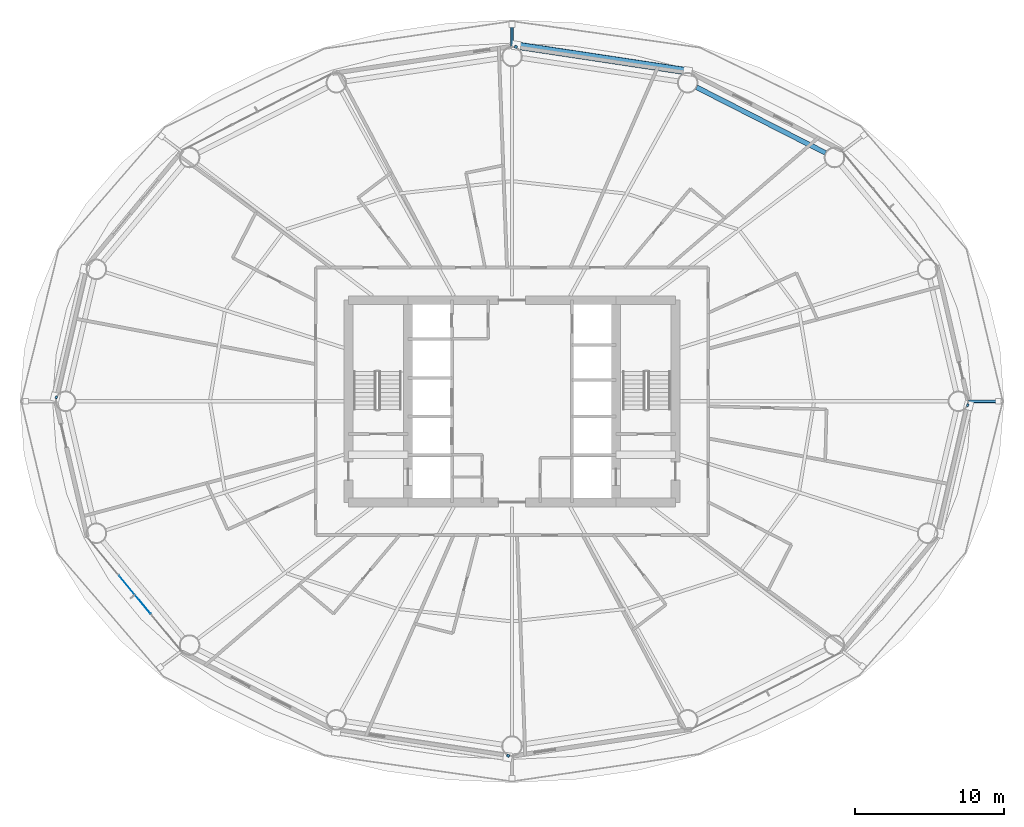
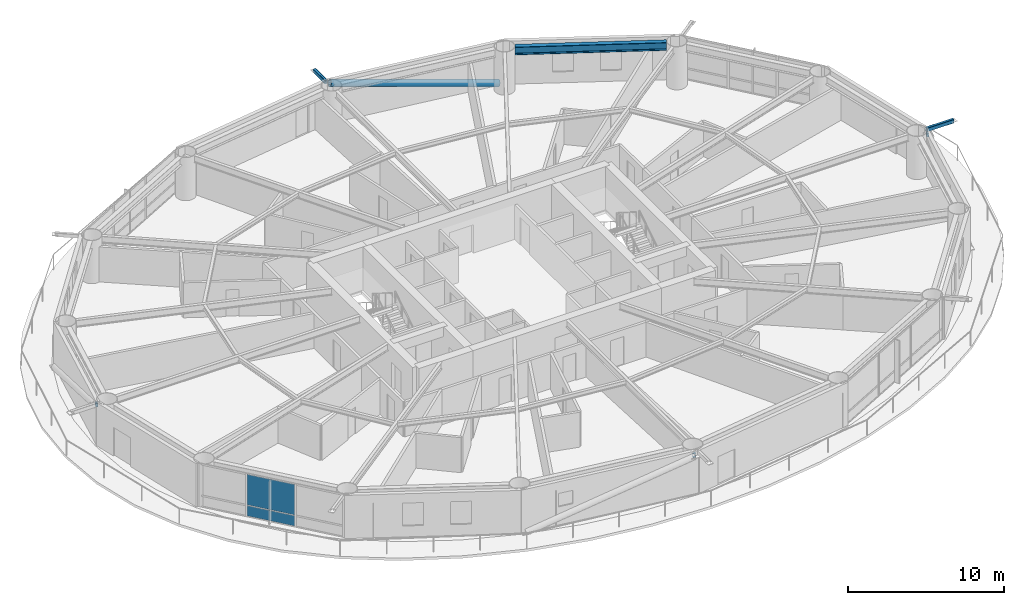
# One storey, part 15 of 26: 7 members, 2 plates, 1 beam, 1 element without a shape of its own.
"""IFC4 building model written with IfcOpenShell, lengths in metres."""

from ifc_helpers import new_model, si_unit, direction, frame, origin, origin_2d, place, context, subcontext, project, spatial, rectangle, hollow_rectangle, hollow_circle, i_section, extrude, material, layer, layer_set, material_profile, profile_set, type_object, element, aggregate, save


model = new_model("IFC4")

# Units and contexts
model_context = context("Model", 3, precision=1e-05, world=origin(), true_north=direction((0.0, 1.0)))
body_context = subcontext(model_context, "Body", "Model", "MODEL_VIEW")
ifc_project = project(units=[si_unit("LENGTHUNIT", "METRE"), si_unit("AREAUNIT", "SQUARE_METRE"), si_unit("VOLUMEUNIT", "CUBIC_METRE"), si_unit("PLANEANGLEUNIT", "RADIAN"), si_unit("MASSUNIT", "GRAM", prefix="KILO")], contexts=[model_context])

# Site, building, storey
site_placement = place(None, origin())
site = spatial("IfcSite", under=ifc_project, at=site_placement, CompositionType="ELEMENT")
building_placement = place(site_placement, origin())
building = spatial("IfcBuilding", under=site, at=building_placement, Name="Sarneth Arch Tower", CompositionType="ELEMENT")
storey_placement = place(building_placement, frame((0.0, 0.0, 46.199951171875)))
storey = spatial("IfcBuildingStorey", under=building, at=storey_placement, Name="L10", CompositionType="ELEMENT", Elevation=46.199951171875)

# Beam
ifc_material_1 = material(Name="Steel S355", Category="steel")
ifc_material_profile_1 = material_profile(ifc_material_1, i_section(OverallWidth=0.326904296875, OverallDepth=0.6220703125, WebThickness=0.015380859375, FlangeThickness=0.0244140625, FilletRadius=0.01904296875, at=origin_2d()), Name="W610x195")
ifc_profile_set_1 = profile_set([ifc_material_profile_1], Name="Steel S355")
beam_type = type_object("IfcBeamType", Name="BM-SPAN-610A", PredefinedType="SPANDREL", material=ifc_profile_set_1)
beam_placement = place(storey_placement, frame((69.09521484375, 58.711181640625, 3.069091796875), z_axis=(-0.8911738076, 0.453662037919, 0.0), x_axis=(-0.453662037919, -0.8911738076, 0.0)))
element("IfcBeam", 1, at=beam_placement, inside=storey, type_object=beam_type, Name="L10 Perimeter spandrel beam 03", PredefinedType="SPANDREL", context=body_context, shape_type="SweptSolid", body=[
    extrude(i_section(OverallWidth=0.326904296875, OverallDepth=0.6220703125, WebThickness=0.015380859375, FlangeThickness=0.0244140625, FilletRadius=0.01904296875, at=origin_2d()), origin(), (0.0, 0.0, 1.0), 9.735107421875),
])

# Members
ifc_material_2 = material(Name="Steel S355", Category="steel")
ifc_material_profile_2 = material_profile(ifc_material_2, hollow_rectangle(XDim=0.199951171875, YDim=0.300048828125, WallThickness=0.012451171875, InnerFilletRadius=0.018798828125, OuterFilletRadius=0.03125, at=origin_2d()), Name="RHS300x200x12.5")
ifc_profile_set_2 = profile_set([ifc_material_profile_2], Name="Steel S355")
member_type_1 = type_object("IfcMemberType", Name="MEM-CANT-STRUT", PredefinedType="STRUT", material=ifc_profile_set_2)
member_1_placement = place(storey_placement, frame((78.709716796875, 42.0, 3.219970703125), z_axis=(1.0, 0.0, 0.0), x_axis=(0.0, 1.0, 0.0)))
element("IfcMember", 2, at=member_1_placement, inside=storey, type_object=member_type_1, Name="L10 Balcony cantilever bracket 01", PredefinedType="STRUT", context=body_context, shape_type="SweptSolid", body=[
    extrude(hollow_rectangle(XDim=0.199951171875, YDim=0.300048828125, WallThickness=0.012451171875, InnerFilletRadius=0.018798828125, OuterFilletRadius=0.03125, at=origin_2d()), origin(), (0.0, 0.0, 1.0), 2.01904296875),
])
member_2_placement = place(storey_placement, frame((48.227294921875, 65.763427734375, 3.0068359375), z_axis=(0.374114534281, 0.927382507512, 0.0), x_axis=(-0.927382507512, 0.374114534281, 0.0)))
element("IfcMember", 3, at=member_2_placement, inside=storey, type_object=member_type_1, Name="L10 Exoskeleton brace node strut 04B", PredefinedType="STRUT", context=body_context, shape_type="SweptSolid", body=[
    extrude(hollow_rectangle(XDim=0.199951171875, YDim=0.300048828125, WallThickness=0.012451171875, InnerFilletRadius=0.018798828125, OuterFilletRadius=0.03125, at=origin_2d()), origin(), (0.0, 0.0, 1.0), 0.185302734375),
])
member_3_placement = place(storey_placement, frame((48.0, 65.875, 3.219970703125), z_axis=(0.0, 1.0, 0.0), x_axis=(-1.0, 0.0, 0.0)))
element("IfcMember", 4, at=member_3_placement, inside=storey, type_object=member_type_1, Name="L10 Balcony cantilever bracket 05", PredefinedType="STRUT", context=body_context, shape_type="SweptSolid", body=[
    extrude(hollow_rectangle(XDim=0.199951171875, YDim=0.300048828125, WallThickness=0.012451171875, InnerFilletRadius=0.018798828125, OuterFilletRadius=0.03125, at=origin_2d()), origin(), (0.0, 0.0, 1.0), 1.48095703125),
])
member_4_placement = place(storey_placement, frame((17.40576171875, 42.23681640625, 3.0068359375), z_axis=(-0.921085575415, 0.389360196684, 0.0), x_axis=(-0.389360196684, -0.921085575415, 0.0)))
element("IfcMember", 5, at=member_4_placement, inside=storey, type_object=member_type_1, Name="L10 Exoskeleton brace node strut 08B", PredefinedType="STRUT", context=body_context, shape_type="SweptSolid", body=[
    extrude(hollow_rectangle(XDim=0.199951171875, YDim=0.300048828125, WallThickness=0.012451171875, InnerFilletRadius=0.018798828125, OuterFilletRadius=0.03125, at=origin_2d()), origin(), (0.0, 0.0, 1.0), 0.142333984375),
])
member_5_placement = place(storey_placement, frame((47.772705078125, 18.236572265625, 3.0068359375), z_axis=(-0.374114534281, -0.927382507512, 0.0), x_axis=(0.927382507512, -0.374114534281, 0.0)))
element("IfcMember", 6, at=member_5_placement, inside=storey, type_object=member_type_1, Name="L10 Exoskeleton brace node strut 12B", PredefinedType="STRUT", context=body_context, shape_type="SweptSolid", body=[
    extrude(hollow_rectangle(XDim=0.199951171875, YDim=0.300048828125, WallThickness=0.012451171875, InnerFilletRadius=0.018798828125, OuterFilletRadius=0.03125, at=origin_2d()), origin(), (0.0, 0.0, 1.0), 0.185302734375),
])
member_6_placement = place(storey_placement, frame((78.59423828125, 41.76318359375, 3.0068359375), z_axis=(0.921085575415, -0.389360196684, 0.0), x_axis=(0.389360196684, 0.921085575415, 0.0)))
element("IfcMember", 7, at=member_6_placement, inside=storey, type_object=member_type_1, Name="L10 Exoskeleton brace node strut 16B", PredefinedType="STRUT", context=body_context, shape_type="SweptSolid", body=[
    extrude(hollow_rectangle(XDim=0.199951171875, YDim=0.300048828125, WallThickness=0.012451171875, InnerFilletRadius=0.018798828125, OuterFilletRadius=0.03125, at=origin_2d()), origin(), (0.0, 0.0, 1.0), 0.142333984375),
])
ifc_material_3 = material(Name="Steel S355", Category="steel")
ifc_material_profile_3 = material_profile(ifc_material_3, hollow_circle(Radius=0.25390625, WallThickness=0.01611328125, at=origin_2d()), Name="CHS508x16")
ifc_profile_set_3 = profile_set([ifc_material_profile_3], Name="Steel S355")
member_type_2 = type_object("IfcMemberType", Name="MEM-DIAG-BR1", PredefinedType="BRACE", material=ifc_profile_set_3)
member_7_placement = place(storey_placement, frame((59.819580078125, 64.19921875, 0.02001953125), z_axis=(-0.957875899759, 0.144316613483, 0.248287083301), x_axis=(-0.1489817545, -0.988839944999, 0.0)))
element("IfcMember", 8, at=member_7_placement, inside=storey, type_object=member_type_2, Name="L10 Perimeter frame diagonal 04", PredefinedType="BRACE", context=body_context, shape_type="SweptSolid", body=[
    extrude(hollow_circle(Radius=0.25390625, WallThickness=0.01611328125, at=origin_2d()), origin(), (0.0, 0.0, 1.0), 12.02978515625),
])

# Curtain wall, plates
ifc_material_4 = material(Name="Anodised aluminium Type AA25 and solar-control low-e laminated IGU", Category="aluminium")
ifc_layer_1 = layer(ifc_material_4, 0.159912109375)
ifc_layer_set_1 = layer_set([ifc_layer_1], Name="Anodised aluminium Type AA25 and solar-control low-e laminated IGU")
curtain_wall_type = type_object("IfcCurtainWallType", Name="CW-HOTEL-LOW", PredefinedType="NOTDEFINED", material=ifc_layer_set_1)
curtain_wall_placement = place(storey_placement, origin())
curtain_wall = element("IfcCurtainWall", 9, at=curtain_wall_placement, inside=storey, type_object=curtain_wall_type, Name="L10 Unitised curtain wall facet 10", PredefinedType="NOTDEFINED")
ifc_material_5 = material(Name="Solar-control low-e laminated IGU", Category="glass")
ifc_layer_2 = layer(ifc_material_5, 0.028076171875)
ifc_layer_set_2 = layer_set([ifc_layer_2], Name="Solar-control low-e laminated IGU")
plate_type = type_object("IfcPlateType", Name="CW-PANEL", PredefinedType="CURTAIN_PANEL", material=ifc_layer_set_2)
plate_1_placement = place(storey_placement, frame((22.62255859375, 28.98779296875, 0.06005859375), z_axis=(0.0, 0.0, 1.0), x_axis=(0.637291340827, -0.770622960278, 0.0)))
plate_1 = element("IfcPlate", 10, at=plate_1_placement, type_object=plate_type, Name="Curtain wall glazed vision pane CW-L10-F10/P01-00", PredefinedType="CURTAIN_PANEL", context=body_context, shape_type="SweptSolid", body=[
    extrude(rectangle(XDim=3.291015625, YDim=0.028076171875, at=origin_2d()), origin(), (0.0, 0.0, 1.0), 0.81005859375),
])
plate_2_placement = place(storey_placement, frame((22.62255859375, 28.98779296875, 0.93017578125), z_axis=(0.0, 0.0, 1.0), x_axis=(0.637291340827, -0.770622960278, 0.0)))
plate_2 = element("IfcPlate", 11, at=plate_2_placement, type_object=plate_type, Name="Curtain wall glazed vision pane CW-L10-F10/P01-01", PredefinedType="CURTAIN_PANEL", context=body_context, shape_type="SweptSolid", body=[
    extrude(rectangle(XDim=3.291015625, YDim=0.028076171875, at=origin_2d()), origin(), (0.0, 0.0, 1.0), 2.389892578125),
])
aggregate(curtain_wall, [plate_1, plate_2])

save(model, "model.ifc")
